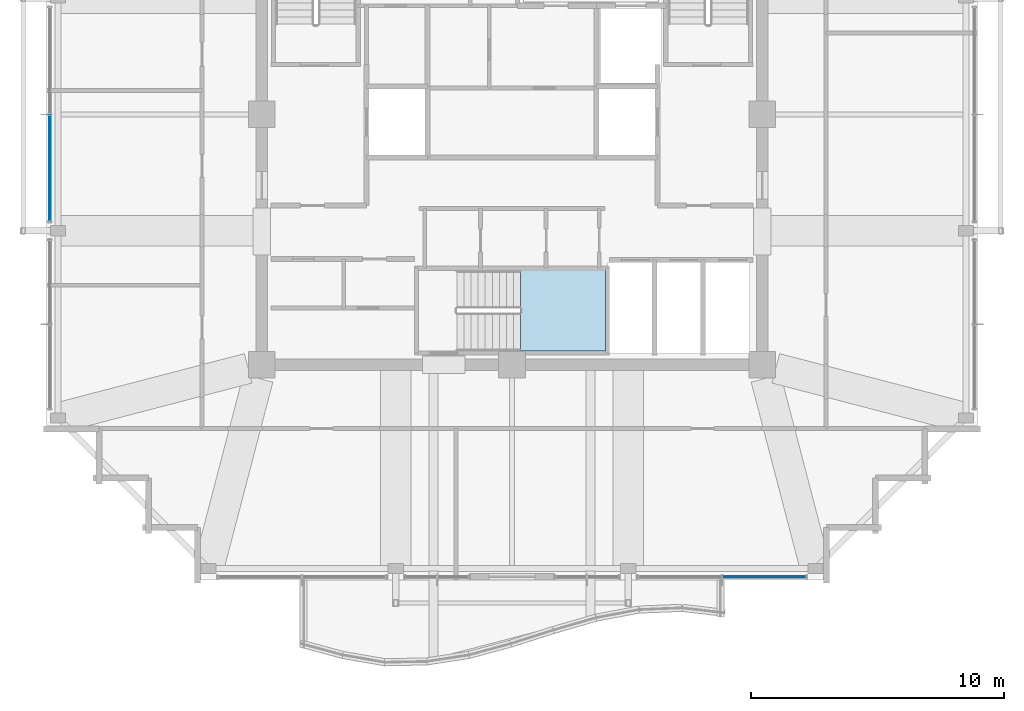
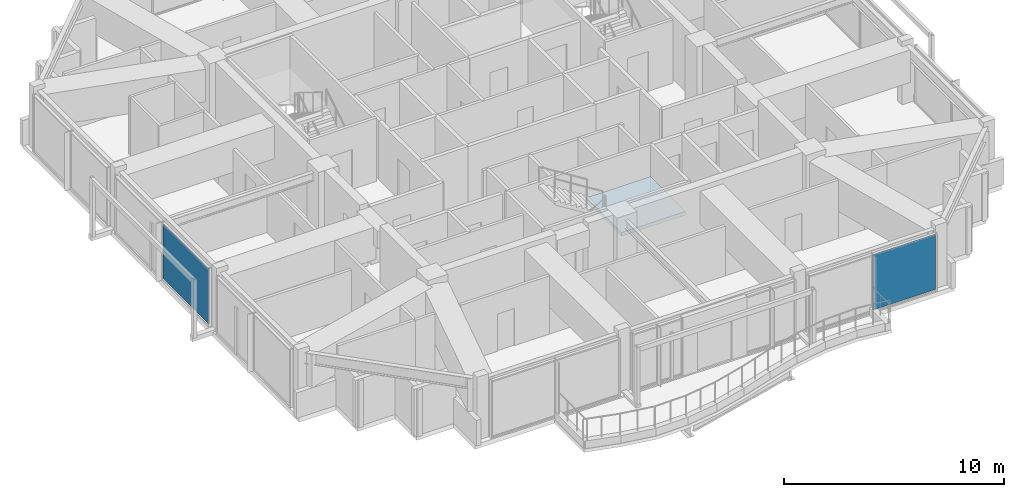
# One storey, part 21 of 30: 2 plates, 1 slab, 3 elements without a shape of their own.
"""IFC4 building model written with IfcOpenShell, lengths in metres."""

from ifc_helpers import new_model, si_unit, direction, frame, origin, origin_2d, place, context, subcontext, project, spatial, polyline, rectangle, outline, extrude, material, layer, layer_set, type_object, element, aggregate, save


model = new_model("IFC4")

# Units and contexts
model_context = context("Model", 3, precision=1e-05, world=origin(), true_north=direction((0.0, 1.0)))
body_context = subcontext(model_context, "Body", "Model", "MODEL_VIEW")
ifc_project = project(units=[si_unit("LENGTHUNIT", "METRE"), si_unit("AREAUNIT", "SQUARE_METRE"), si_unit("VOLUMEUNIT", "CUBIC_METRE"), si_unit("PLANEANGLEUNIT", "RADIAN"), si_unit("MASSUNIT", "GRAM", prefix="KILO")], contexts=[model_context])

# Site, building, storey
site_placement = place(None, origin())
site = spatial("IfcSite", under=ifc_project, at=site_placement, CompositionType="ELEMENT")
building_placement = place(site_placement, origin())
building = spatial("IfcBuilding", under=site, at=building_placement, Name="Kolvaren Belvedere", CompositionType="ELEMENT")
storey_placement = place(building_placement, frame((0.0, 0.0, 254.89990234375)))
storey = spatial("IfcBuildingStorey", under=building, at=storey_placement, Name="L74", CompositionType="ELEMENT", Elevation=254.89990234375)

# Curtain wall, plate
ifc_material_1 = material(Name="Anodised pale-metal aluminium AA 6063-T6", Category="aluminium")
curtain_wall_type = type_object("IfcCurtainWallType", Name="CW-Z5-HIGH", PredefinedType="NOTDEFINED", material=ifc_material_1)
curtain_wall_1_placement = place(storey_placement, origin())
curtain_wall_1 = element("IfcCurtainWall", 1, at=curtain_wall_1_placement, inside=storey, type_object=curtain_wall_type, Name="L74 Unitised Curtain Wall FCW-L74-S1-B1", PredefinedType="NOTDEFINED")
ifc_material_2 = material(Name="Low-iron triple insulated glass", Category="glass")
ifc_layer_1 = layer(ifc_material_2, 0.028076171875)
ifc_layer_set_1 = layer_set([ifc_layer_1], Name="Low-iron triple insulated glass")
plate_type = type_object("IfcPlateType", Name="CW-PNL-VIS28", PredefinedType="CURTAIN_PANEL", material=ifc_layer_set_1)
plate_1_placement = place(storey_placement, frame((9.972412109375, -18.280029296875, 0.080078125), z_axis=(0.0, 0.0, 1.0), x_axis=(-1.0, 0.0, 0.0)))
plate_1 = element("IfcPlate", 2, at=plate_1_placement, type_object=plate_type, Name="FCW-L74-S1-B1 Vision Glazing Panel 1", PredefinedType="CURTAIN_PANEL", context=body_context, shape_type="SweptSolid", body=[
    extrude(rectangle(XDim=3.264892578125, YDim=0.028076171875, at=origin_2d()), origin(), (0.0, 0.0, 1.0), 3.06005859375),
])
aggregate(curtain_wall_1, [plate_1])

curtain_wall_2_placement = place(storey_placement, origin())
curtain_wall_2 = element("IfcCurtainWall", 3, at=curtain_wall_2_placement, inside=storey, type_object=curtain_wall_type, Name="L74 Unitised Curtain Wall FCW-L74-W-B2", PredefinedType="NOTDEFINED")
plate_2_placement = place(storey_placement, frame((-18.280029296875, -2.12255859375, 0.080078125), z_axis=(0.0, 0.0, 1.0), x_axis=(0.0, 1.0, 0.0)))
plate_2 = element("IfcPlate", 4, at=plate_2_placement, type_object=plate_type, Name="FCW-L74-W-B2 Vision Glazing Panel 1", PredefinedType="CURTAIN_PANEL", context=body_context, shape_type="SweptSolid", body=[
    extrude(rectangle(XDim=4.1650390625, YDim=0.028076171875, at=origin_2d()), origin(), (0.0, 0.0, 1.0), 3.06005859375),
])
aggregate(curtain_wall_2, [plate_2])

# Stair, slab
ifc_material_3 = material(Name="Concrete C50/60", Category="concrete")
stair_type = type_object("IfcStairType", Name="ST-CORE-1520", PredefinedType="HALF_TURN_STAIR", material=ifc_material_3)
stair_placement = place(storey_placement, origin())
stair = element("IfcStair", 5, at=stair_placement, inside=storey, type_object=stair_type, Name="L74 Protected Exit Stair ST-3", PredefinedType="HALF_TURN_STAIR")
ifc_material_4 = material(Name="Concrete C50/60", Category="concrete")
ifc_layer_2 = layer(ifc_material_4, 0.260009765625)
ifc_layer_set_2 = layer_set([ifc_layer_2], Name="Concrete C50/60")
slab_type = type_object("IfcSlabType", Name="SL-LAND-260", PredefinedType="LANDING", material=ifc_layer_set_2)
slab_placement = place(storey_placement, frame((0.0, 0.0, 1.550048828125)))
slab = element("IfcSlab", 6, at=slab_placement, type_object=slab_type, Name="ST-3 landing 1", PredefinedType="LANDING", context=body_context, shape_type="SweptSolid", body=[
    extrude(outline(polyline([(0.340087890625, -9.35009765625), (3.699951171875, -9.35009765625), (3.699951171875, -6.159912109375), (0.340087890625, -6.159912109375), (0.340087890625, -9.35009765625)])), origin(), (0.0, 0.0, 1.0), 0.199951171875),
])
aggregate(stair, [slab])

save(model, "model.ifc")
